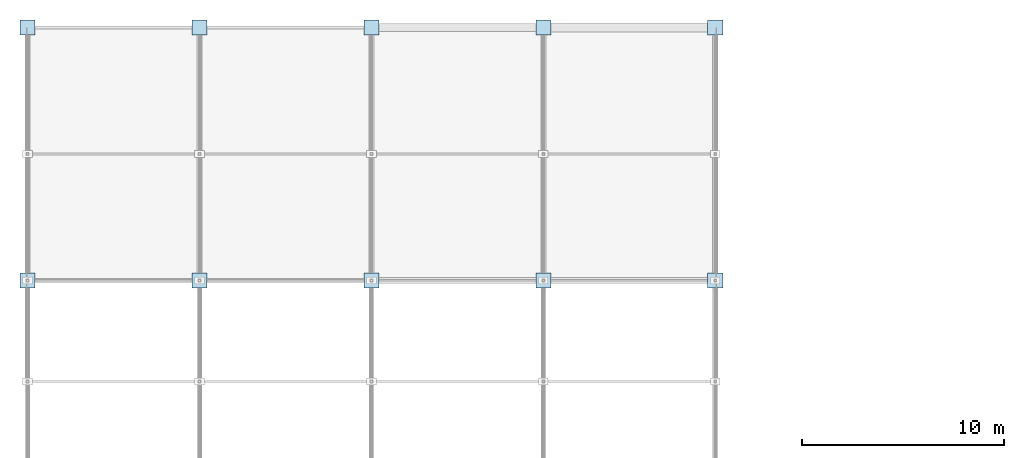
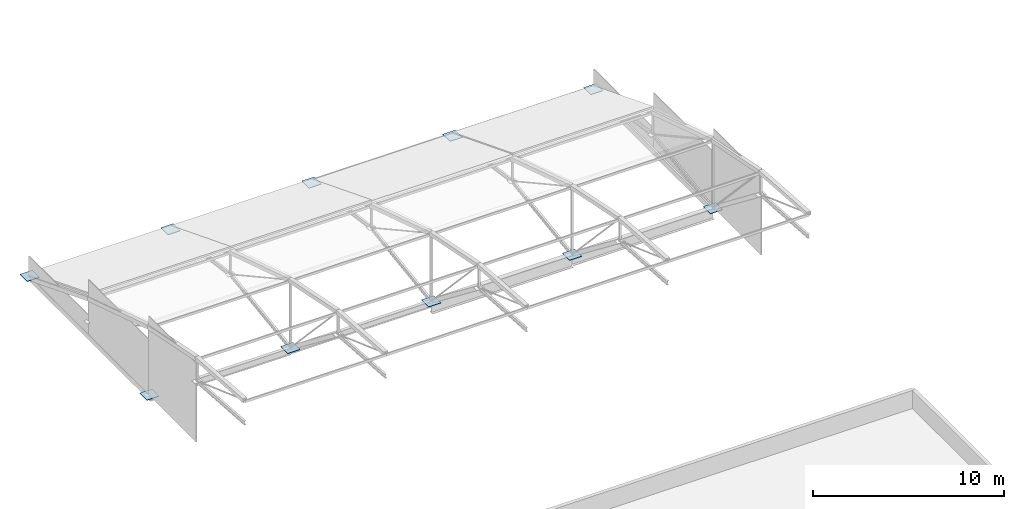
# One storey, part 47 of 66: 10 plates.
"""IFC4 building model written with IfcOpenShell, lengths in metres."""

from ifc_helpers import new_model, si_unit, direction, frame, origin, origin_2d, place, context, subcontext, project, spatial, rectangle, extrude, material, layer, layer_set, type_object, element, save


model = new_model("IFC4")

# Units and contexts
model_context = context("Model", 3, precision=1e-05, world=origin(), true_north=direction((0.0, 1.0)))
body_context = subcontext(model_context, "Body", "Model", "MODEL_VIEW")
ifc_project = project(units=[si_unit("LENGTHUNIT", "METRE"), si_unit("AREAUNIT", "SQUARE_METRE"), si_unit("VOLUMEUNIT", "CUBIC_METRE"), si_unit("PLANEANGLEUNIT", "RADIAN"), si_unit("MASSUNIT", "GRAM", prefix="KILO")], contexts=[model_context])

# Site, building, storey
site_placement = place(None, origin())
site = spatial("IfcSite", under=ifc_project, at=site_placement, CompositionType="ELEMENT")
building_placement = place(site_placement, origin())
building = spatial("IfcBuilding", under=site, at=building_placement, Name="Solvikara Media Centre", CompositionType="ELEMENT")
storey_placement = place(building_placement, frame((0.0, 0.0, 19.800048828125)))
storey = spatial("IfcBuildingStorey", under=building, at=storey_placement, Name="L04", CompositionType="ELEMENT", Elevation=19.800048828125)

# Plates
ifc_material = material(Name="Steel S355JR", Category="steel")
ifc_layer = layer(ifc_material, 0.031982421875)
ifc_layer_set = layer_set([ifc_layer], Name="Steel S355JR")
plate_type = type_object("IfcPlateType", Name="PL-06", PredefinedType="USERDEFINED", material=ifc_layer_set)
for number, where, z_axis, x_axis, name in (
    (1, (0.0, 114.0, -0.19580078125), (0.0, 0.0, 1.0), (1.0, 0.0, 0.0), "BP-AM-N00"),
    (2, (0.0, 101.5, -0.19580078125), (0.0, 0.0, 1.0), (1.0, 0.0, 0.0), "BP-AM-M00"),
    (3, (8.5, 114.0, -0.19580078125), (0.0, 0.0, 1.0), (1.0, 0.0, 0.0), "BP-AM-N01"),
    (4, (8.5, 101.5, -0.19580078125), (0.0, 0.0, 1.0), (1.0, 0.0, 0.0), "BP-AM-M01"),
    (5, (17.0, 114.0, -0.19580078125), (0.0, 0.0, 1.0), (1.0, 0.0, 0.0), "BP-AM-N02"),
    (6, (17.0, 101.5, -0.19580078125), (0.0, 0.0, 1.0), (1.0, 0.0, 0.0), "BP-AM-M02"),
    (7, (25.5, 114.0, -0.19580078125), (0.0, 0.0, 1.0), (1.0, 0.0, 0.0), "BP-AM-N03"),
    (8, (25.5, 101.5, -0.19580078125), (0.0, 0.0, 1.0), (1.0, 0.0, 0.0), "BP-AM-M03"),
    (9, (34.0, 114.0, -0.19580078125), (0.0, 0.0, 1.0), (1.0, 0.0, 0.0), "BP-AM-N04"),
    (10, (34.0, 101.5, -0.19580078125), (0.0, 0.0, 1.0), (1.0, 0.0, 0.0), "BP-AM-M04"),
):
    element("IfcPlate", number, at=place(storey_placement, frame(where, z_axis=z_axis, x_axis=x_axis)), inside=storey, type_object=plate_type, Name=name, ObjectType="BASE PLATE", PredefinedType="USERDEFINED", context=body_context, shape_type="SweptSolid", body=[
        extrude(rectangle(XDim=0.75, YDim=0.75, at=origin_2d()), origin(), (0.0, 0.0, 1.0), 0.031982421875),
    ])

save(model, "model.ifc")
